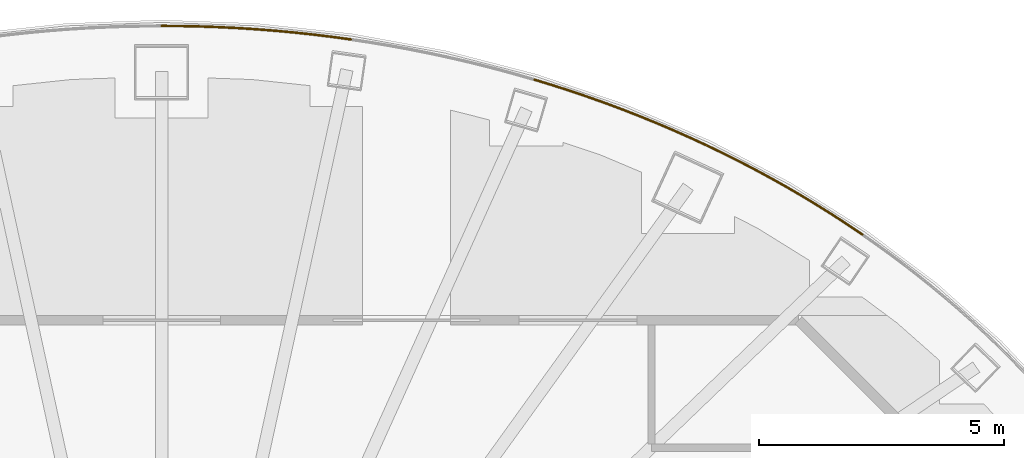
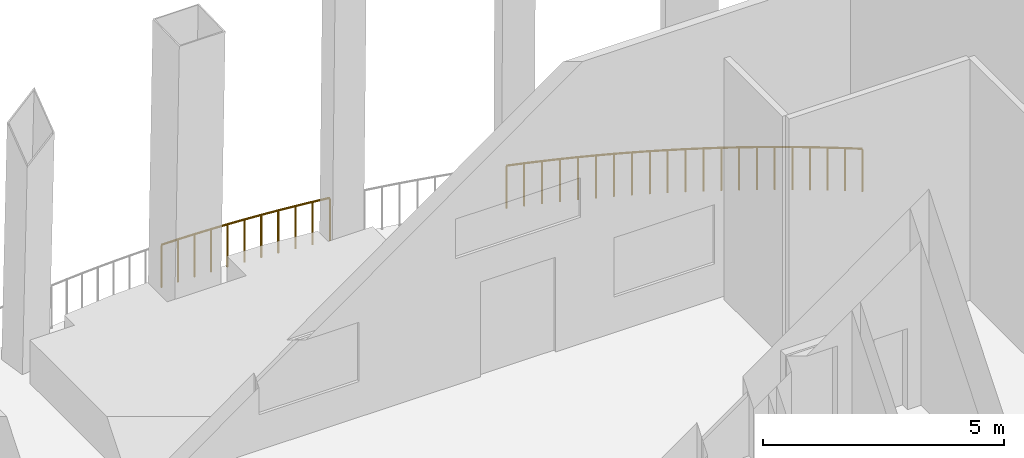
# One storey, part 12 of 12: 3 railings.
"""IFC4 building model written with IfcOpenShell, lengths in metres."""

from ifc_helpers import new_model, si_unit, direction, frame, origin, origin_2d, place, context, subcontext, project, spatial, circle, extrude, material, type_object, element, save


model = new_model("IFC4")

# Units and contexts
model_context = context("Model", 3, precision=1e-05, world=origin(), true_north=direction((0.0, 1.0)))
body_context = subcontext(model_context, "Body", "Model", "MODEL_VIEW")
ifc_project = project(units=[si_unit("LENGTHUNIT", "METRE"), si_unit("AREAUNIT", "SQUARE_METRE"), si_unit("VOLUMEUNIT", "CUBIC_METRE"), si_unit("PLANEANGLEUNIT", "RADIAN"), si_unit("MASSUNIT", "GRAM", prefix="KILO")], contexts=[model_context])

# Site, building, storey
site_placement = place(None, origin())
site = spatial("IfcSite", under=ifc_project, at=site_placement, CompositionType="ELEMENT")
building_placement = place(site_placement, origin())
building = spatial("IfcBuilding", under=site, at=building_placement, Name="Siaravel Broadcast Tower", CompositionType="ELEMENT")
storey_placement = place(building_placement, frame((0.0, 0.0, 205.199951171875)))
storey = spatial("IfcBuildingStorey", under=building, at=storey_placement, Name="L50", CompositionType="ELEMENT", Elevation=205.199951171875)

# Railings
ifc_material = material(Name="Steel S355", Category="steel")
railing_type = type_object("IfcRailingType", Name="Guard 1100", PredefinedType="GUARDRAIL", material=ifc_material)
railing_1_placement = place(storey_placement, frame((14.305908203125, 13.948486328125, 0.080078125)))
element("IfcRailing", 1, at=railing_1_placement, inside=storey, type_object=railing_type, Name="L50 sky garden guard 06", PredefinedType="GUARDRAIL", context=body_context, shape_type="SweptSolid", body=[
    extrude(circle(Radius=0.02392578125, at=origin_2d()), frame((0.0, 0.0, 1.076171875), z_axis=(-0.829130356, 0.559055322, 0.0), x_axis=(-0.559055322, -0.829130356, 0.0)), (0.0, 0.0, 1.0), 0.361572265625),
    extrude(circle(Radius=0.02392578125, at=origin_2d()), frame((-0.2998046875, 0.2021484375, 1.076171875), z_axis=(-0.837905031, 0.545816048, 0.0), x_axis=(-0.545816048, -0.837905031, 0.0)), (0.0, 0.0, 1.0), 0.36279296875),
    extrude(circle(Radius=0.02392578125, at=origin_2d()), frame((-0.603759765625, 0.400146484375, 1.076171875), z_axis=(-0.847016493, 0.53156661, 0.0), x_axis=(-0.53156661, -0.847016493, 0.0)), (0.0, 0.0, 1.0), 0.36376953125),
    extrude(circle(Radius=0.02392578125, at=origin_2d()), frame((-0.911865234375, 0.593505859375, 1.076171875), z_axis=(-0.855242736, 0.518227616, 0.0), x_axis=(-0.518227616, -0.855242736, 0.0)), (0.0, 0.0, 1.0), 0.364990234375),
    extrude(circle(Radius=0.02392578125, at=origin_2d()), frame((-1.22412109375, 0.78271484375, 1.076171875), z_axis=(-0.863899853, 0.503663621, 0.0), x_axis=(-0.503663621, -0.863899853, 0.0)), (0.0, 0.0, 1.0), 0.365966796875),
    extrude(circle(Radius=0.02392578125, at=origin_2d()), frame((-1.540283203125, 0.967041015625, 1.076171875), z_axis=(-0.871415727, 0.490545238, 0.0), x_axis=(-0.490545238, -0.871415727, 0.0)), (0.0, 0.0, 1.0), 0.3671875),
    extrude(circle(Radius=0.02392578125, at=origin_2d()), frame((-1.8603515625, 1.147216796875, 1.076171875), z_axis=(-0.879511614, 0.475877422, 0.0), x_axis=(-0.475877422, -0.879511614, 0.0)), (0.0, 0.0, 1.0), 0.368408203125),
    extrude(circle(Radius=0.02392578125, at=origin_2d()), frame((-2.184326171875, 1.322509765625, 1.076171875), z_axis=(-0.886631963, 0.462475689, 0.0), x_axis=(-0.462475689, -0.886631963, 0.0)), (0.0, 0.0, 1.0), 0.36962890625),
    extrude(circle(Radius=0.02392578125, at=origin_2d()), frame((-2.511962890625, 1.493408203125, 1.076171875), z_axis=(-0.894031544, 0.448004016, 0.0), x_axis=(-0.448004016, -0.894031544, 0.0)), (0.0, 0.0, 1.0), 0.37060546875),
    extrude(circle(Radius=0.02392578125, at=origin_2d()), frame((-2.84326171875, 1.659423828125, 1.076171875), z_axis=(-0.90090645, 0.434013326, 0.0), x_axis=(-0.434013326, -0.90090645, 0.0)), (0.0, 0.0, 1.0), 0.371337890625),
    extrude(circle(Radius=0.02099609375, at=origin_2d()), origin(), (0.0, 0.0, 1.0), 1.052001953125),
    extrude(circle(Radius=0.02099609375, at=origin_2d()), frame((-0.2998046875, 0.2021484375, 0.0)), (0.0, 0.0, 1.0), 1.052001953125),
    extrude(circle(Radius=0.02099609375, at=origin_2d()), frame((-0.603759765625, 0.400146484375, 0.0)), (0.0, 0.0, 1.0), 1.052001953125),
    extrude(circle(Radius=0.02099609375, at=origin_2d()), frame((-0.911865234375, 0.593505859375, 0.0)), (0.0, 0.0, 1.0), 1.052001953125),
    extrude(circle(Radius=0.02099609375, at=origin_2d()), frame((-1.22412109375, 0.78271484375, 0.0)), (0.0, 0.0, 1.0), 1.052001953125),
    extrude(circle(Radius=0.02099609375, at=origin_2d()), frame((-1.540283203125, 0.967041015625, 0.0)), (0.0, 0.0, 1.0), 1.052001953125),
    extrude(circle(Radius=0.02099609375, at=origin_2d()), frame((-1.8603515625, 1.147216796875, 0.0)), (0.0, 0.0, 1.0), 1.052001953125),
    extrude(circle(Radius=0.02099609375, at=origin_2d()), frame((-2.184326171875, 1.322509765625, 0.0)), (0.0, 0.0, 1.0), 1.052001953125),
    extrude(circle(Radius=0.02099609375, at=origin_2d()), frame((-2.511962890625, 1.493408203125, 0.0)), (0.0, 0.0, 1.0), 1.052001953125),
    extrude(circle(Radius=0.02099609375, at=origin_2d()), frame((-2.84326171875, 1.659423828125, 0.0)), (0.0, 0.0, 1.0), 1.052001953125),
    extrude(circle(Radius=0.02099609375, at=origin_2d()), frame((-3.177734375, 1.820556640625, 0.0)), (0.0, 0.0, 1.0), 1.052001953125),
])
railing_2_placement = place(storey_placement, frame((11.128173828125, 15.76904296875, 0.080078125)))
element("IfcRailing", 2, at=railing_2_placement, inside=storey, type_object=railing_type, Name="L50 sky garden guard 07", PredefinedType="GUARDRAIL", context=body_context, shape_type="SweptSolid", body=[
    extrude(circle(Radius=0.02392578125, at=origin_2d()), frame((0.0, 0.0, 1.076171875), z_axis=(-0.907517788, 0.420013648, 0.0), x_axis=(-0.420013648, -0.907517788, 0.0)), (0.0, 0.0, 1.0), 0.37255859375),
    extrude(circle(Radius=0.02392578125, at=origin_2d()), frame((-0.338134765625, 0.156494140625, 1.076171875), z_axis=(-0.914000038, 0.405714099, 0.0), x_axis=(-0.405714099, -0.914000038, 0.0)), (0.0, 0.0, 1.0), 0.373779296875),
    extrude(circle(Radius=0.02392578125, at=origin_2d()), frame((-0.6796875, 0.30810546875, 1.076171875), z_axis=(-0.919784443, 0.392423979, 0.0), x_axis=(-0.392423979, -0.919784443, 0.0)), (0.0, 0.0, 1.0), 0.37451171875),
    extrude(circle(Radius=0.02392578125, at=origin_2d()), frame((-1.024169921875, 0.455078125, 1.076171875), z_axis=(-0.926126022, 0.377214251, 0.0), x_axis=(-0.377214251, -0.926126022, 0.0)), (0.0, 0.0, 1.0), 0.37548828125),
    extrude(circle(Radius=0.02392578125, at=origin_2d()), frame((-1.371826171875, 0.5966796875, 1.076171875), z_axis=(-0.931443609, 0.3638857, 0.0), x_axis=(-0.3638857, -0.931443609, 0.0)), (0.0, 0.0, 1.0), 0.37646484375),
    extrude(circle(Radius=0.02392578125, at=origin_2d()), frame((-1.722412109375, 0.733642578125, 1.076171875), z_axis=(-0.936886766, 0.349632933, 0.0), x_axis=(-0.349632933, -0.936886766, 0.0)), (0.0, 0.0, 1.0), 0.376953125),
    extrude(circle(Radius=0.02392578125, at=origin_2d()), frame((-2.07568359375, 0.865478515625, 1.076171875), z_axis=(-0.942368633, 0.334576389, 0.0), x_axis=(-0.334576389, -0.942368633, 0.0)), (0.0, 0.0, 1.0), 0.3779296875),
    extrude(circle(Radius=0.02392578125, at=origin_2d()), frame((-2.431884765625, 0.991943359375, 1.076171875), z_axis=(-0.94692969, 0.321440759, 0.0), x_axis=(-0.321440759, -0.94692969, 0.0)), (0.0, 0.0, 1.0), 0.37890625),
    extrude(circle(Radius=0.02392578125, at=origin_2d()), frame((-2.790771484375, 1.11376953125, 1.076171875), z_axis=(-0.951847843, 0.306570845, 0.0), x_axis=(-0.306570845, -0.951847843, 0.0)), (0.0, 0.0, 1.0), 0.3798828125),
    extrude(circle(Radius=0.02392578125, at=origin_2d()), frame((-3.15234375, 1.230224609375, 1.076171875), z_axis=(-0.956221948, 0.292642422, 0.0), x_axis=(-0.292642422, -0.956221948, 0.0)), (0.0, 0.0, 1.0), 0.38037109375),
    extrude(circle(Radius=0.02099609375, at=origin_2d()), origin(), (0.0, 0.0, 1.0), 1.052001953125),
    extrude(circle(Radius=0.02099609375, at=origin_2d()), frame((-0.338134765625, 0.156494140625, 0.0)), (0.0, 0.0, 1.0), 1.052001953125),
    extrude(circle(Radius=0.02099609375, at=origin_2d()), frame((-0.6796875, 0.30810546875, 0.0)), (0.0, 0.0, 1.0), 1.052001953125),
    extrude(circle(Radius=0.02099609375, at=origin_2d()), frame((-1.024169921875, 0.455078125, 0.0)), (0.0, 0.0, 1.0), 1.052001953125),
    extrude(circle(Radius=0.02099609375, at=origin_2d()), frame((-1.371826171875, 0.5966796875, 0.0)), (0.0, 0.0, 1.0), 1.052001953125),
    extrude(circle(Radius=0.02099609375, at=origin_2d()), frame((-1.722412109375, 0.733642578125, 0.0)), (0.0, 0.0, 1.0), 1.052001953125),
    extrude(circle(Radius=0.02099609375, at=origin_2d()), frame((-2.07568359375, 0.865478515625, 0.0)), (0.0, 0.0, 1.0), 1.052001953125),
    extrude(circle(Radius=0.02099609375, at=origin_2d()), frame((-2.431884765625, 0.991943359375, 0.0)), (0.0, 0.0, 1.0), 1.052001953125),
    extrude(circle(Radius=0.02099609375, at=origin_2d()), frame((-2.790771484375, 1.11376953125, 0.0)), (0.0, 0.0, 1.0), 1.052001953125),
    extrude(circle(Radius=0.02099609375, at=origin_2d()), frame((-3.15234375, 1.230224609375, 0.0)), (0.0, 0.0, 1.0), 1.052001953125),
    extrude(circle(Radius=0.02099609375, at=origin_2d()), frame((-3.51611328125, 1.341552734375, 0.0)), (0.0, 0.0, 1.0), 1.052001953125),
])
railing_3_placement = place(storey_placement, frame((3.86474609375, 17.931884765625, 0.080078125)))
element("IfcRailing", 3, at=railing_3_placement, inside=storey, type_object=railing_type, Name="L50 sky garden guard 09", PredefinedType="GUARDRAIL", context=body_context, shape_type="SweptSolid", body=[
    extrude(circle(Radius=0.02392578125, at=origin_2d()), frame((0.0, 0.0, 1.076171875), z_axis=(-0.990741579, 0.135761274, 0.0), x_axis=(-0.135761274, -0.990741579, 0.0)), (0.0, 0.0, 1.0), 0.38671875),
    extrude(circle(Radius=0.02392578125, at=origin_2d()), frame((-0.383056640625, 0.052490234375, 1.076171875), z_axis=(-0.992566192, 0.12170602, 0.0), x_axis=(-0.12170602, -0.992566192, 0.0)), (0.0, 0.0, 1.0), 0.38720703125),
    extrude(circle(Radius=0.02392578125, at=origin_2d()), frame((-0.767333984375, 0.099609375, 1.076171875), z_axis=(-0.994239776, 0.10717867, 0.0), x_axis=(-0.10717867, -0.994239776, 0.0)), (0.0, 0.0, 1.0), 0.38720703125),
    extrude(circle(Radius=0.02392578125, at=origin_2d()), frame((-1.15234375, 0.14111328125, 1.076171875), z_axis=(-0.995705267, 0.092579807, 0.0), x_axis=(-0.092579807, -0.995705267, 0.0)), (0.0, 0.0, 1.0), 0.3876953125),
    extrude(circle(Radius=0.02392578125, at=origin_2d()), frame((-1.538330078125, 0.177001953125, 1.076171875), z_axis=(-0.996900747, 0.078669567, 0.0), x_axis=(-0.078669567, -0.996900747, 0.0)), (0.0, 0.0, 1.0), 0.387939453125),
    extrude(circle(Radius=0.02392578125, at=origin_2d()), frame((-1.925048828125, 0.20751953125, 1.076171875), z_axis=(-0.997938329, 0.064180145, 0.0), x_axis=(-0.064180145, -0.997938329, 0.0)), (0.0, 0.0, 1.0), 0.387939453125),
    extrude(circle(Radius=0.02392578125, at=origin_2d()), frame((-2.312255859375, 0.232421875, 1.076171875), z_axis=(-0.998764855, 0.049686665, 0.0), x_axis=(-0.049686665, -0.998764855, 0.0)), (0.0, 0.0, 1.0), 0.38818359375),
    extrude(circle(Radius=0.02392578125, at=origin_2d()), frame((-2.699951171875, 0.251708984375, 1.076171875), z_axis=(-0.999358041, 0.035826043, 0.0), x_axis=(-0.035826043, -0.999358041, 0.0)), (0.0, 0.0, 1.0), 0.388427734375),
    extrude(circle(Radius=0.02392578125, at=origin_2d()), frame((-3.088134765625, 0.265625, 1.076171875), z_axis=(-0.999771448, 0.021378761, 0.0), x_axis=(-0.021378761, -0.999771448, 0.0)), (0.0, 0.0, 1.0), 0.38818359375),
    extrude(circle(Radius=0.02392578125, at=origin_2d()), frame((-3.476318359375, 0.27392578125, 1.076171875), z_axis=(-0.9999761, 0.006913725, 0.0), x_axis=(-0.006913725, -0.9999761, 0.0)), (0.0, 0.0, 1.0), 0.388427734375),
    extrude(circle(Radius=0.02099609375, at=origin_2d()), origin(), (0.0, 0.0, 1.0), 1.052001953125),
    extrude(circle(Radius=0.02099609375, at=origin_2d()), frame((-0.383056640625, 0.052490234375, 0.0)), (0.0, 0.0, 1.0), 1.052001953125),
    extrude(circle(Radius=0.02099609375, at=origin_2d()), frame((-0.767333984375, 0.099609375, 0.0)), (0.0, 0.0, 1.0), 1.052001953125),
    extrude(circle(Radius=0.02099609375, at=origin_2d()), frame((-1.15234375, 0.14111328125, 0.0)), (0.0, 0.0, 1.0), 1.052001953125),
    extrude(circle(Radius=0.02099609375, at=origin_2d()), frame((-1.538330078125, 0.177001953125, 0.0)), (0.0, 0.0, 1.0), 1.052001953125),
    extrude(circle(Radius=0.02099609375, at=origin_2d()), frame((-1.925048828125, 0.20751953125, 0.0)), (0.0, 0.0, 1.0), 1.052001953125),
    extrude(circle(Radius=0.02099609375, at=origin_2d()), frame((-2.312255859375, 0.232421875, 0.0)), (0.0, 0.0, 1.0), 1.052001953125),
    extrude(circle(Radius=0.02099609375, at=origin_2d()), frame((-2.699951171875, 0.251708984375, 0.0)), (0.0, 0.0, 1.0), 1.052001953125),
    extrude(circle(Radius=0.02099609375, at=origin_2d()), frame((-3.088134765625, 0.265625, 0.0)), (0.0, 0.0, 1.0), 1.052001953125),
    extrude(circle(Radius=0.02099609375, at=origin_2d()), frame((-3.476318359375, 0.27392578125, 0.0)), (0.0, 0.0, 1.0), 1.052001953125),
    extrude(circle(Radius=0.02099609375, at=origin_2d()), frame((-3.86474609375, 0.276611328125, 0.0)), (0.0, 0.0, 1.0), 1.052001953125),
])

save(model, "model.ifc")
